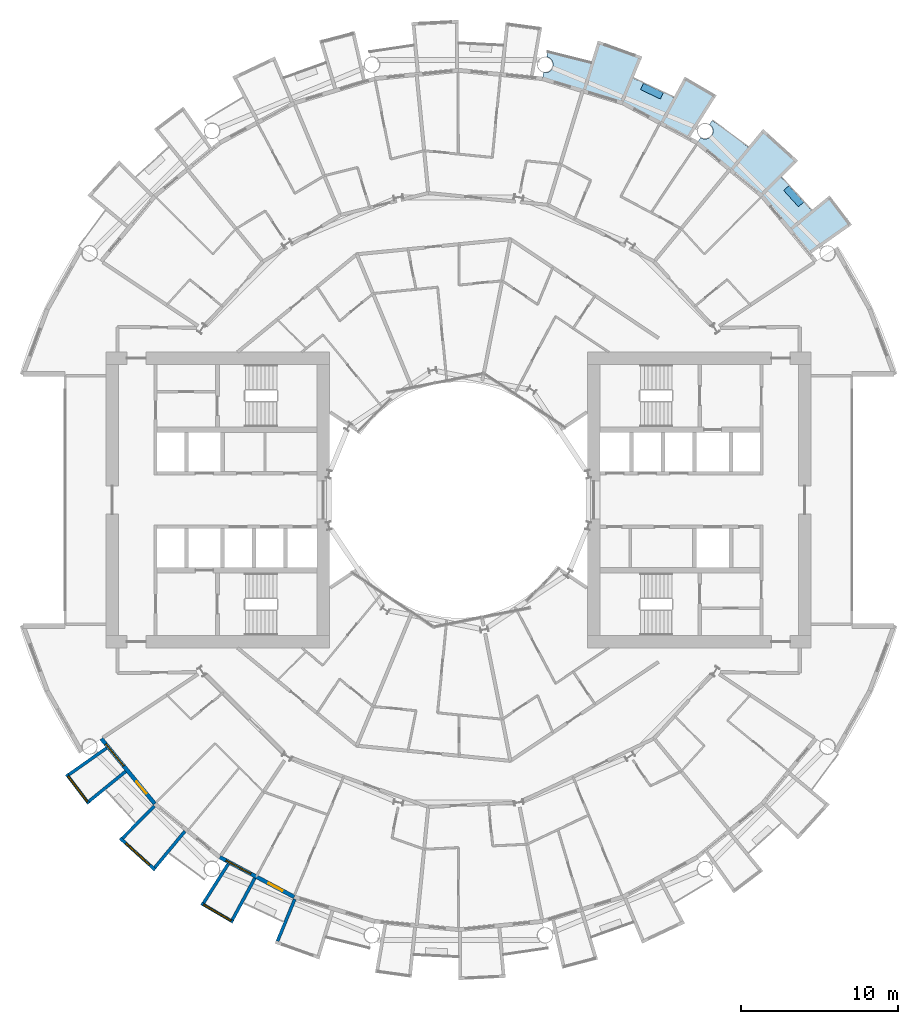
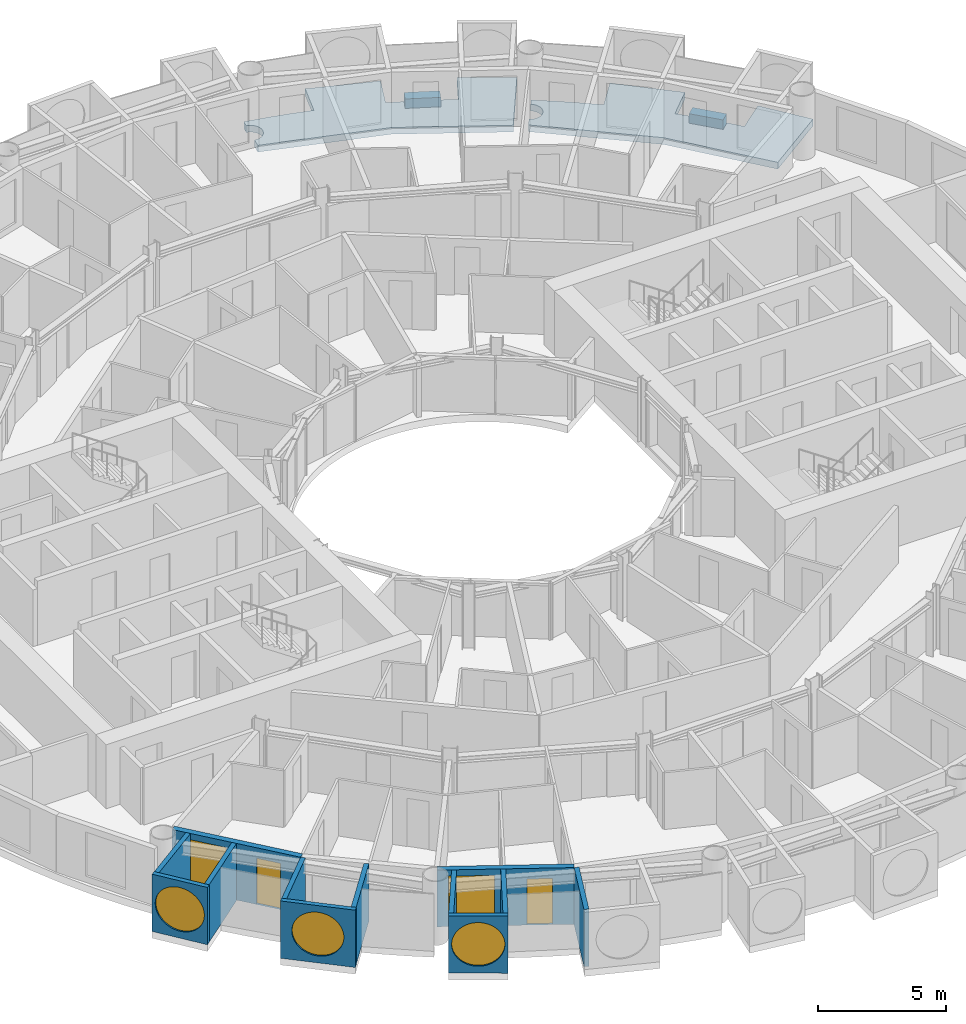
# One storey, part 12 of 26: 12 walls, 5 windows, 4 slabs, 2 doors, 7 openings.
"""IFC4 building model written with IfcOpenShell, lengths in metres."""

from ifc_helpers import new_model, si_unit, direction, frame, frame_2d, origin, place, context, subcontext, project, spatial, polyline, rectangle, circle, outline, extrude, material, layer, layer_set, type_object, element, fill, save


model = new_model("IFC4")

# Units and contexts
model_context = context("Model", 3, precision=1e-05, world=origin(), true_north=direction((0.0, 1.0)))
body_context = subcontext(model_context, "Body", "Model", "MODEL_VIEW")
ifc_project = project(units=[si_unit("LENGTHUNIT", "METRE"), si_unit("AREAUNIT", "SQUARE_METRE"), si_unit("VOLUMEUNIT", "CUBIC_METRE"), si_unit("PLANEANGLEUNIT", "RADIAN"), si_unit("MASSUNIT", "GRAM", prefix="KILO")], contexts=[model_context])

# Site, building, storey
site_placement = place(None, origin())
site = spatial("IfcSite", under=ifc_project, at=site_placement, CompositionType="ELEMENT")
building_placement = place(site_placement, origin())
building = spatial("IfcBuilding", under=site, at=building_placement, Name="Maasbend Ring Residences", CompositionType="ELEMENT")
storey_placement = place(building_placement, frame((0.0, 0.0, 25.85009765625)))
storey = spatial("IfcBuildingStorey", under=building, at=storey_placement, Name="L06", CompositionType="ELEMENT", Elevation=25.85009765625)

# Slabs
ifc_material_1 = material(Name="Planting with climbing greenery")
ifc_layer_1 = layer(ifc_material_1, 0.449951171875)
ifc_layer_set_1 = layer_set([ifc_layer_1], Name="PLANTER-LG")
slab_type_1 = type_object("IfcSlabType", Name="PLANTER-LG", PredefinedType="USERDEFINED", material=ifc_layer_set_1)
slab_1_placement = place(storey_placement, frame((0.0, 0.0, -0.030029296875)))
element("IfcSlab", 1, at=slab_1_placement, inside=storey, type_object=slab_type_1, Name="Planter with climbing greenery 1", ObjectType="PLANTER", PredefinedType="USERDEFINED", context=body_context, shape_type="SweptSolid", body=[
    extrude(outline(polyline([(21.931884765625, 18.93310546875), (20.991943359375, 19.969970703125), (20.657958984375, 19.66796875), (21.597900390625, 18.631103515625), (21.931884765625, 18.93310546875)])), origin(), (0.0, 0.0, 1.0), 0.449951171875),
])
slab_2_placement = place(storey_placement, frame((0.0, 0.0, -0.030029296875)))
element("IfcSlab", 2, at=slab_2_placement, inside=storey, type_object=slab_type_1, Name="Planter with climbing greenery 2", ObjectType="PLANTER", PredefinedType="USERDEFINED", context=body_context, shape_type="SweptSolid", body=[
    extrude(outline(polyline([(13.01708984375, 25.885009765625), (11.7509765625, 26.48291015625), (11.55908203125, 26.076904296875), (12.824951171875, 25.47802734375), (13.01708984375, 25.885009765625)])), origin(), (0.0, 0.0, 1.0), 0.449951171875),
])
ifc_material_2 = material(Name="Concrete C40/50", Category="concrete")
ifc_layer_2 = layer(ifc_material_2, 0.199951171875)
ifc_layer_set_2 = layer_set([ifc_layer_2], Name="Concrete C40/50")
slab_type_2 = type_object("IfcSlabType", Name="SL-LOGGIA", PredefinedType="FLOOR", material=ifc_layer_set_2)
slab_3_placement = place(storey_placement, frame((0.0, 0.0, -0.35009765625)))
element("IfcSlab", 3, at=slab_3_placement, inside=storey, type_object=slab_type_2, Name="Loggia floor 2", PredefinedType="FLOOR", context=body_context, shape_type="SweptSolid", body=[
    extrude(outline(polyline([(5.43896484375, 27.154052734375), (5.451904296875, 27.153076171875), (5.464111328125, 27.15087890625), (5.47705078125, 27.15087890625), (5.489013671875, 27.14990234375), (5.501953125, 27.14990234375), (5.513916015625, 27.14990234375), (5.52587890625, 27.15087890625), (5.5390625, 27.15087890625), (5.551025390625, 27.153076171875), (5.56396484375, 27.154052734375), (5.575927734375, 27.156005859375), (5.587890625, 27.157958984375), (5.60107421875, 27.159912109375), (5.613037109375, 27.162109375), (5.625, 27.1650390625), (5.636962890625, 27.1689453125), (5.64892578125, 27.172119140625), (5.660888671875, 27.176025390625), (5.673095703125, 27.179931640625), (5.68408203125, 27.18408203125), (5.696044921875, 27.18896484375), (5.70703125, 27.194091796875), (5.718994140625, 27.198974609375), (5.72998046875, 27.2041015625), (5.740966796875, 27.2099609375), (5.751953125, 27.216064453125), (5.762939453125, 27.221923828125), (5.77294921875, 27.22900390625), (5.783935546875, 27.236083984375), (5.7939453125, 27.242919921875), (5.803955078125, 27.25), (5.81396484375, 27.258056640625), (5.823974609375, 27.264892578125), (5.8330078125, 27.27294921875), (5.843017578125, 27.281982421875), (5.85205078125, 27.2900390625), (5.861083984375, 27.299072265625), (5.868896484375, 27.30810546875), (5.8779296875, 27.31689453125), (5.885986328125, 27.325927734375), (5.89404296875, 27.3359375), (5.902099609375, 27.345947265625), (5.909912109375, 27.35498046875), (5.9169921875, 27.365966796875), (5.924072265625, 27.3759765625), (5.930908203125, 27.385986328125), (5.93701171875, 27.39697265625), (5.944091796875, 27.407958984375), (5.949951171875, 27.4189453125), (5.955078125, 27.429931640625), (5.9609375, 27.44091796875), (5.966064453125, 27.451904296875), (5.970947265625, 27.464111328125), (5.97509765625, 27.47509765625), (5.97998046875, 27.487060546875), (5.98388671875, 27.4990234375), (5.988037109375, 27.510986328125), (5.990966796875, 27.52294921875), (5.993896484375, 27.534912109375), (5.9970703125, 27.547119140625), (6.0, 27.55908203125), (6.001953125, 27.571044921875), (6.00390625, 27.583984375), (6.006103515625, 27.595947265625), (6.007080078125, 27.60791015625), (6.008056640625, 27.62109375), (6.009033203125, 27.633056640625), (6.009033203125, 27.64599609375), (6.010009765625, 27.657958984375), (6.009033203125, 27.6708984375), (6.009033203125, 27.68310546875), (6.008056640625, 27.695068359375), (6.007080078125, 27.7080078125), (6.006103515625, 27.719970703125), (6.00390625, 27.73291015625), (6.001953125, 27.7451171875), (6.0, 27.757080078125), (5.9970703125, 27.76904296875), (5.993896484375, 27.781982421875), (5.990966796875, 27.7939453125), (5.988037109375, 27.805908203125), (5.98388671875, 27.81689453125), (5.97998046875, 27.8291015625), (5.97509765625, 27.841064453125), (5.970947265625, 27.85302734375), (5.966064453125, 27.864013671875), (5.9609375, 27.875), (5.955078125, 27.886962890625), (5.949951171875, 27.89794921875), (5.944091796875, 27.907958984375), (5.93701171875, 27.9189453125), (5.930908203125, 27.929931640625), (5.924072265625, 27.93994140625), (5.9169921875, 27.950927734375), (5.909912109375, 27.9609375), (5.902099609375, 27.970947265625), (5.89404296875, 27.97998046875), (5.885986328125, 27.989990234375), (5.8779296875, 27.9990234375), (5.868896484375, 28.008056640625), (5.861083984375, 28.01708984375), (5.85205078125, 28.02587890625), (5.843017578125, 28.034912109375), (5.8330078125, 28.04296875), (5.823974609375, 28.051025390625), (5.81396484375, 28.05908203125), (5.803955078125, 28.06591796875), (5.7939453125, 28.072998046875), (5.783935546875, 28.080078125), (5.77294921875, 28.0869140625), (5.762939453125, 28.093994140625), (5.751953125, 28.10009765625), (5.740966796875, 28.10595703125), (5.72998046875, 28.112060546875), (5.718994140625, 28.116943359375), (5.70703125, 28.123046875), (5.696044921875, 28.126953125), (5.68408203125, 28.132080078125), (5.673095703125, 28.135986328125), (5.660888671875, 28.139892578125), (5.64892578125, 28.14404296875), (5.636962890625, 28.14794921875), (5.625, 28.15087890625), (5.613037109375, 28.154052734375), (5.60107421875, 28.156005859375), (5.657958984375, 28.443115234375), (5.657958984375, 28.443115234375), (5.657958984375, 28.443115234375), (6.5849609375, 28.241943359375), (6.5849609375, 28.241943359375), (7.506103515625, 28.011962890625), (7.506103515625, 28.011962890625), (8.41796875, 27.7509765625), (8.41796875, 27.7509765625), (8.41796875, 27.7509765625), (8.41796875, 27.7509765625), (8.41796875, 27.7509765625), (8.41796875, 27.7509765625), (8.41796875, 27.7509765625), (8.41796875, 27.7509765625), (8.41796875, 27.7509765625), (8.41796875, 27.7509765625), (8.41796875, 27.751953125), (8.41796875, 27.751953125), (8.41796875, 27.751953125), (8.41796875, 27.751953125), (8.41796875, 27.751953125), (8.41796875, 27.751953125), (8.41796875, 27.751953125), (8.85400390625, 29.18701171875), (8.85400390625, 29.18701171875), (8.85400390625, 29.18701171875), (11.672119140625, 28.177978515625), (11.672119140625, 28.177978515625), (11.672119140625, 28.177978515625), (11.097900390625, 26.79296875), (11.097900390625, 26.79296875), (11.097900390625, 26.79296875), (11.097900390625, 26.79296875), (11.097900390625, 26.79296875), (11.097900390625, 26.79296875), (11.097900390625, 26.79296875), (11.097900390625, 26.79296875), (11.097900390625, 26.79296875), (11.097900390625, 26.79296875), (11.097900390625, 26.7919921875), (11.097900390625, 26.7919921875), (11.097900390625, 26.7919921875), (11.097900390625, 26.7919921875), (11.097900390625, 26.7919921875), (11.097900390625, 26.7919921875), (11.097900390625, 26.7919921875), (11.968994140625, 26.4150390625), (11.968994140625, 26.4150390625), (12.825927734375, 26.009033203125), (12.825927734375, 26.009033203125), (13.669921875, 25.575927734375), (13.669921875, 25.575927734375), (13.669921875, 25.575927734375), (13.669921875, 25.575927734375), (13.669921875, 25.575927734375), (13.669921875, 25.575927734375), (13.669921875, 25.575927734375), (13.669921875, 25.575927734375), (13.669921875, 25.575927734375), (13.669921875, 25.575927734375), (13.6708984375, 25.575927734375), (13.6708984375, 25.575927734375), (13.6708984375, 25.575927734375), (13.6708984375, 25.575927734375), (13.6708984375, 25.575927734375), (13.6708984375, 25.575927734375), (13.6708984375, 25.575927734375), (14.3779296875, 26.89892578125), (14.3779296875, 26.89892578125), (14.3779296875, 26.89892578125), (16.39404296875, 25.718994140625), (16.39404296875, 25.718994140625), (16.39404296875, 25.718994140625), (14.64599609375, 22.97705078125), (14.64599609375, 22.97705078125), (14.64599609375, 22.97705078125), (12.806884765625, 23.9609375), (10.447021484375, 25.221923828125), (10.447021484375, 25.221923828125), (10.447021484375, 25.221923828125), (7.886962890625, 25.9990234375), (5.325927734375, 26.77490234375), (5.325927734375, 26.77490234375), (5.325927734375, 26.77490234375), (5.402099609375, 27.159912109375), (5.4150390625, 27.157958984375), (5.427001953125, 27.156005859375), (5.43896484375, 27.154052734375)])), origin(), (0.0, 0.0, 1.0), 0.320068359375),
])
slab_4_placement = place(storey_placement, frame((0.0, 0.0, -0.35009765625)))
element("IfcSlab", 4, at=slab_4_placement, inside=storey, type_object=slab_type_2, Name="Loggia floor 4", PredefinedType="FLOOR", context=body_context, shape_type="SweptSolid", body=[
    extrude(outline(polyline([(15.406005859375, 23.011962890625), (15.4169921875, 23.0048828125), (15.427978515625, 22.9990234375), (15.43896484375, 22.993896484375), (15.449951171875, 22.988037109375), (15.4609375, 22.98291015625), (15.472900390625, 22.97802734375), (15.48388671875, 22.972900390625), (15.49609375, 22.968994140625), (15.508056640625, 22.965087890625), (15.52001953125, 22.9609375), (15.531982421875, 22.9580078125), (15.5439453125, 22.955078125), (15.555908203125, 22.951904296875), (15.568115234375, 22.948974609375), (15.580078125, 22.947021484375), (15.593017578125, 22.945068359375), (15.60498046875, 22.943115234375), (15.616943359375, 22.94189453125), (15.6298828125, 22.94091796875), (15.64208984375, 22.93994140625), (15.655029296875, 22.93994140625), (15.6669921875, 22.93896484375), (15.679931640625, 22.93994140625), (15.69189453125, 22.93994140625), (15.7041015625, 22.94091796875), (15.717041015625, 22.94189453125), (15.72900390625, 22.943115234375), (15.741943359375, 22.945068359375), (15.75390625, 22.947021484375), (15.76611328125, 22.948974609375), (15.778076171875, 22.951904296875), (15.791015625, 22.955078125), (15.802978515625, 22.9580078125), (15.81494140625, 22.9609375), (15.825927734375, 22.965087890625), (15.837890625, 22.968994140625), (15.85009765625, 22.972900390625), (15.862060546875, 22.97802734375), (15.873046875, 22.98291015625), (15.884033203125, 22.988037109375), (15.89599609375, 22.993896484375), (15.906982421875, 22.9990234375), (15.9169921875, 23.0048828125), (15.927978515625, 23.011962890625), (15.93896484375, 23.01806640625), (15.948974609375, 23.02490234375), (15.9599609375, 23.031982421875), (15.969970703125, 23.0390625), (15.97998046875, 23.047119140625), (15.989013671875, 23.054931640625), (15.9990234375, 23.06298828125), (16.008056640625, 23.071044921875), (16.01708984375, 23.0791015625), (16.02587890625, 23.087890625), (16.034912109375, 23.096923828125), (16.0439453125, 23.10595703125), (16.052001953125, 23.115966796875), (16.06005859375, 23.125), (16.068115234375, 23.135009765625), (16.074951171875, 23.14501953125), (16.08203125, 23.155029296875), (16.089111328125, 23.1650390625), (16.095947265625, 23.176025390625), (16.10302734375, 23.18603515625), (16.10888671875, 23.197021484375), (16.114990234375, 23.2080078125), (16.12109375, 23.218994140625), (16.1259765625, 23.22998046875), (16.132080078125, 23.241943359375), (16.135986328125, 23.2529296875), (16.14111328125, 23.264892578125), (16.14501953125, 23.27587890625), (16.14892578125, 23.2880859375), (16.153076171875, 23.300048828125), (16.156982421875, 23.31201171875), (16.159912109375, 23.323974609375), (16.1630859375, 23.3359375), (16.1650390625, 23.347900390625), (16.16796875, 23.361083984375), (16.169921875, 23.373046875), (16.1708984375, 23.385009765625), (16.173095703125, 23.39794921875), (16.174072265625, 23.409912109375), (16.174072265625, 23.422119140625), (16.175048828125, 23.43505859375), (16.175048828125, 23.447021484375), (16.175048828125, 23.4599609375), (16.174072265625, 23.471923828125), (16.174072265625, 23.485107421875), (16.173095703125, 23.4970703125), (16.1708984375, 23.510009765625), (16.169921875, 23.52197265625), (16.16796875, 23.533935546875), (16.1650390625, 23.547119140625), (16.1630859375, 23.55908203125), (16.159912109375, 23.571044921875), (16.156982421875, 23.5830078125), (16.153076171875, 23.594970703125), (16.14892578125, 23.60693359375), (16.14501953125, 23.618896484375), (16.14111328125, 23.6298828125), (16.135986328125, 23.64208984375), (16.132080078125, 23.653076171875), (16.1259765625, 23.6650390625), (16.12109375, 23.676025390625), (16.114990234375, 23.68701171875), (16.10888671875, 23.697998046875), (16.10302734375, 23.708984375), (16.095947265625, 23.718994140625), (16.089111328125, 23.72998046875), (16.08203125, 23.739990234375), (16.074951171875, 23.75), (16.068115234375, 23.760009765625), (16.06005859375, 23.77001953125), (16.052001953125, 23.779052734375), (16.0439453125, 23.7890625), (16.034912109375, 23.798095703125), (16.02587890625, 23.806884765625), (16.01708984375, 23.81494140625), (16.008056640625, 23.823974609375), (15.9990234375, 23.83203125), (15.989013671875, 23.840087890625), (15.97998046875, 23.847900390625), (15.969970703125, 23.85498046875), (15.9599609375, 23.863037109375), (15.948974609375, 23.8701171875), (15.948974609375, 23.8701171875), (16.112060546875, 24.113037109375), (16.112060546875, 24.113037109375), (16.112060546875, 24.113037109375), (16.89208984375, 23.572998046875), (16.89208984375, 23.572998046875), (17.654052734375, 23.007080078125), (17.654052734375, 23.007080078125), (18.39697265625, 22.41796875), (18.39697265625, 22.41796875), (18.39697265625, 22.41796875), (18.39697265625, 22.41796875), (18.39697265625, 22.41796875), (18.39697265625, 22.41796875), (18.39697265625, 22.41796875), (18.39697265625, 22.41796875), (18.39697265625, 22.41796875), (18.39697265625, 22.41796875), (18.39697265625, 22.41796875), (18.39794921875, 22.41796875), (18.39794921875, 22.41796875), (18.39794921875, 22.41796875), (18.39794921875, 22.41796875), (18.39794921875, 22.41796875), (18.39794921875, 22.41796875), (19.34912109375, 23.576904296875), (19.34912109375, 23.576904296875), (19.34912109375, 23.576904296875), (21.56689453125, 21.56689453125), (21.56689453125, 21.56689453125), (21.56689453125, 21.56689453125), (20.506103515625, 20.506103515625), (20.506103515625, 20.506103515625), (20.506103515625, 20.506103515625), (20.506103515625, 20.506103515625), (20.506103515625, 20.506103515625), (20.506103515625, 20.506103515625), (20.506103515625, 20.506103515625), (20.506103515625, 20.506103515625), (20.506103515625, 20.506103515625), (20.506103515625, 20.506103515625), (20.506103515625, 20.506103515625), (20.506103515625, 20.506103515625), (20.506103515625, 20.506103515625), (20.506103515625, 20.506103515625), (20.506103515625, 20.506103515625), (20.506103515625, 20.506103515625), (20.506103515625, 20.506103515625), (21.166015625, 19.823974609375), (21.166015625, 19.823974609375), (21.802978515625, 19.12109375), (21.802978515625, 19.12109375), (22.4169921875, 18.39794921875), (22.4169921875, 18.39794921875), (22.4169921875, 18.39794921875), (22.4169921875, 18.39794921875), (22.4169921875, 18.39794921875), (22.4169921875, 18.39794921875), (22.4169921875, 18.39794921875), (22.4169921875, 18.39794921875), (22.4169921875, 18.39794921875), (22.4169921875, 18.39794921875), (22.4169921875, 18.39794921875), (22.4169921875, 18.39794921875), (22.41796875, 18.39794921875), (22.41796875, 18.39794921875), (22.41796875, 18.39794921875), (22.41796875, 18.39794921875), (22.41796875, 18.39794921875), (23.576904296875, 19.34912109375), (23.576904296875, 19.34912109375), (23.576904296875, 19.34912109375), (24.989013671875, 17.488037109375), (24.989013671875, 17.488037109375), (24.989013671875, 17.488037109375), (22.324951171875, 15.623046875), (22.324951171875, 15.623046875), (22.324951171875, 15.623046875), (21.001953125, 17.236083984375), (19.303955078125, 19.303955078125), (19.303955078125, 19.303955078125), (19.303955078125, 19.303955078125), (17.236083984375, 21.001953125), (15.1669921875, 22.698974609375), (15.1669921875, 22.698974609375), (15.1669921875, 22.698974609375), (15.385009765625, 23.02490234375), (15.385009765625, 23.02490234375), (15.39501953125, 23.01806640625), (15.406005859375, 23.011962890625)])), origin(), (0.0, 0.0, 1.0), 0.320068359375),
])

# Wall, opening, window
ifc_material_3 = material(Name="Pale anodised aluminium panel", Category="aluminium")
ifc_layer_3 = layer(ifc_material_3, 0.199951171875)
ifc_layer_set_3 = layer_set([ifc_layer_3], Name="EW-BOX")
wall_type_1 = type_object("IfcWallType", Name="EW-BOX", PredefinedType="SOLIDWALL", material=ifc_layer_set_3)
wall_1_placement = place(storey_placement, frame((-24.908935546875, -17.427001953125, -0.030029296875), z_axis=(0.0, 0.0, 1.0), x_axis=(0.60418752353, -0.796842165306, 0.0)))
wall_1 = element("IfcWall", 5, at=wall_1_placement, inside=storey, type_object=wall_type_1, Name="Box front S01", PredefinedType="SOLIDWALL", context=body_context, shape_type="SweptSolid", body=[
    extrude(rectangle(XDim=2.3369140625, YDim=0.199951171875, at=frame_2d((1.16845703125, 0.0))), origin(), (0.0, 0.0, 1.0), 2.72998046875),
])
opening_1_placement = place(wall_1_placement, frame((0.128173828125, 0.0, 0.330078125)))
opening_1 = element("IfcOpeningElement", 6, at=opening_1_placement, cuts=wall_1, Name="Opening W-RD", PredefinedType="OPENING", context=body_context, shape_type="SweptSolid", body=[
    extrude(circle(Radius=1.0400390625, at=frame_2d((1.0400390625, 1.0400390625))), frame((0.0, 0.10986328125, 0.0), z_axis=(0.0, -1.0, 0.0), x_axis=(1.0, 0.0, 0.0)), (0.0, 0.0, 1.0), 0.219970703125),
])
ifc_material_4 = material(Name="Aluminium and clear glass", Category="aluminium")
window_type_1 = type_object("IfcWindowType", Name="W-RD", PartitioningType="SINGLE_PANEL", PredefinedType="WINDOW", material=ifc_material_4)
window_1_placement = place(opening_1_placement, origin())
window_1 = element("IfcWindow", 7, at=window_1_placement, inside=storey, type_object=window_type_1, Name="Round window S01", OverallHeight=2.080078125, OverallWidth=2.080078125, PartitioningType="SINGLE_PANEL", PredefinedType="WINDOW", context=body_context, shape_type="SweptSolid", body=[
    extrude(circle(Radius=1.0400390625, at=frame_2d((1.0400390625, 1.0400390625))), frame((0.0, 0.030029296875, 0.0), z_axis=(0.0, -1.0, 0.0), x_axis=(1.0, 0.0, 0.0)), (0.0, 0.0, 1.0), 0.06005859375),
])
fill(opening_1, window_1)

# Walls
wall_2_placement = place(storey_placement, frame((-22.3701171875, -15.764892578125, -0.030029296875), z_axis=(0.0, 0.0, 1.0), x_axis=(-0.817256123454, -0.576274612209, 0.0)))
element("IfcWall", 8, at=wall_2_placement, inside=storey, type_object=wall_type_1, Name="Box side wall S01 left", PredefinedType="SOLIDWALL", context=body_context, shape_type="SweptSolid", body=[
    extrude(rectangle(XDim=2.932861328125, YDim=0.199951171875, at=frame_2d((1.46630859375, 0.0))), origin(), (0.0, 0.0, 1.0), 2.72998046875),
])
wall_3_placement = place(storey_placement, frame((-21.155029296875, -17.24609375, -0.030029296875), z_axis=(0.0, 0.0, 1.0), x_axis=(-0.775179004516, -0.631741648902, 0.0)))
element("IfcWall", 9, at=wall_3_placement, inside=storey, type_object=wall_type_1, Name="Box side wall S01 right", PredefinedType="SOLIDWALL", context=body_context, shape_type="SweptSolid", body=[
    extrude(rectangle(XDim=3.005859375, YDim=0.199951171875, at=frame_2d((1.5029296875, 0.0))), origin(), (0.0, 0.0, 1.0), 2.72998046875),
])

# Wall, opening, window
wall_4_placement = place(storey_placement, frame((-21.5, -21.492919921875, -0.030029296875), z_axis=(0.0, 0.0, 1.0), x_axis=(0.740998365753, -0.671506829416, 0.0)))
wall_4 = element("IfcWall", 10, at=wall_4_placement, inside=storey, type_object=wall_type_1, Name="Box front S03", PredefinedType="SOLIDWALL", context=body_context, shape_type="SweptSolid", body=[
    extrude(rectangle(XDim=2.9931640625, YDim=0.199951171875, at=frame_2d((1.49658203125, 0.0))), origin(), (0.0, 0.0, 1.0), 2.72998046875),
])
opening_2_placement = place(wall_4_placement, frame((0.45654296875, 0.0, 0.330078125)))
opening_2 = element("IfcOpeningElement", 11, at=opening_2_placement, cuts=wall_4, Name="Opening W-RD", PredefinedType="OPENING", context=body_context, shape_type="SweptSolid", body=[
    extrude(circle(Radius=1.0400390625, at=frame_2d((1.0400390625, 1.0400390625))), frame((0.0, 0.10986328125, 0.0), z_axis=(0.0, -1.0, 0.0), x_axis=(1.0, 0.0, 0.0)), (0.0, 0.0, 1.0), 0.219970703125),
])
window_2_placement = place(opening_2_placement, origin())
window_2 = element("IfcWindow", 12, at=window_2_placement, inside=storey, type_object=window_type_1, Name="Round window S03", OverallHeight=2.080078125, OverallWidth=2.080078125, PartitioningType="SINGLE_PANEL", PredefinedType="WINDOW", context=body_context, shape_type="SweptSolid", body=[
    extrude(circle(Radius=1.0400390625, at=frame_2d((1.0400390625, 1.0400390625))), frame((0.0, 0.030029296875, 0.0), z_axis=(0.0, -1.0, 0.0), x_axis=(1.0, 0.0, 0.0)), (0.0, 0.0, 1.0), 0.06005859375),
])
fill(opening_2, window_2)

# Walls
wall_5_placement = place(storey_placement, frame((-19.322998046875, -19.449951171875, -0.030029296875), z_axis=(0.0, 0.0, 1.0), x_axis=(-0.704476739375, -0.709727076896, 0.0)))
element("IfcWall", 13, at=wall_5_placement, inside=storey, type_object=wall_type_1, Name="Box side wall S03 left", PredefinedType="SOLIDWALL", context=body_context, shape_type="SweptSolid", body=[
    extrude(rectangle(XDim=2.883056640625, YDim=0.199951171875, at=frame_2d((1.44140625, 0.0))), origin(), (0.0, 0.0, 1.0), 2.72998046875),
])
wall_6_placement = place(storey_placement, frame((-17.384033203125, -21.041015625, -0.030029296875), z_axis=(0.0, 0.0, 1.0), x_axis=(-0.63709551667, -0.770784861449, 0.0)))
element("IfcWall", 14, at=wall_6_placement, inside=storey, type_object=wall_type_1, Name="Box side wall S03 right", PredefinedType="SOLIDWALL", context=body_context, shape_type="SweptSolid", body=[
    extrude(rectangle(XDim=3.005859375, YDim=0.199951171875, at=frame_2d((1.5029296875, 0.0))), origin(), (0.0, 0.0, 1.0), 2.72998046875),
])

# Wall, opening, window
wall_7_placement = place(storey_placement, frame((-16.343994140625, -25.633056640625, -0.030029296875), z_axis=(0.0, 0.0, 1.0), x_axis=(0.863346521872, -0.504611517081, 0.0)))
wall_7 = element("IfcWall", 15, at=wall_7_placement, inside=storey, type_object=wall_type_1, Name="Box front S05", PredefinedType="SOLIDWALL", context=body_context, shape_type="SweptSolid", body=[
    extrude(rectangle(XDim=2.33642578125, YDim=0.199951171875, at=frame_2d((1.168212890625, 0.0))), origin(), (0.0, 0.0, 1.0), 2.72998046875),
])
opening_3_placement = place(wall_7_placement, frame((0.128173828125, 0.0, 0.330078125)))
opening_3 = element("IfcOpeningElement", 16, at=opening_3_placement, cuts=wall_7, Name="Opening W-RD", PredefinedType="OPENING", context=body_context, shape_type="SweptSolid", body=[
    extrude(circle(Radius=1.0400390625, at=frame_2d((1.0400390625, 1.0400390625))), frame((0.0, 0.10986328125, 0.0), z_axis=(0.0, -1.0, 0.0), x_axis=(1.0, 0.0, 0.0)), (0.0, 0.0, 1.0), 0.219970703125),
])
window_3_placement = place(opening_3_placement, origin())
window_3 = element("IfcWindow", 17, at=window_3_placement, inside=storey, type_object=window_type_1, Name="Round window S05", OverallHeight=2.080078125, OverallWidth=2.080078125, PartitioningType="SINGLE_PANEL", PredefinedType="WINDOW", context=body_context, shape_type="SweptSolid", body=[
    extrude(circle(Radius=1.0400390625, at=frame_2d((1.0400390625, 1.0400390625))), frame((0.0, 0.030029296875, 0.0), z_axis=(0.0, -1.0, 0.0), x_axis=(1.0, 0.0, 0.0)), (0.0, 0.0, 1.0), 0.06005859375),
])
fill(opening_3, window_3)

# Walls
wall_8_placement = place(storey_placement, frame((-14.635009765625, -23.1259765625, -0.030029296875), z_axis=(0.0, 0.0, 1.0), x_axis=(-0.534437802731, -0.845207805816, 0.0)))
element("IfcWall", 18, at=wall_8_placement, inside=storey, type_object=wall_type_1, Name="Box side wall S05 left", PredefinedType="SOLIDWALL", context=body_context, shape_type="SweptSolid", body=[
    extrude(rectangle(XDim=2.931884765625, YDim=0.199951171875, at=frame_2d((1.4658203125, 0.0))), origin(), (0.0, 0.0, 1.0), 2.72998046875),
])
wall_9_placement = place(storey_placement, frame((-12.945068359375, -24.029052734375, -0.030029296875), z_axis=(0.0, 0.0, 1.0), x_axis=(-0.474424310775, -0.88029629861, 0.0)))
element("IfcWall", 19, at=wall_9_placement, inside=storey, type_object=wall_type_1, Name="Box side wall S05 right", PredefinedType="SOLIDWALL", context=body_context, shape_type="SweptSolid", body=[
    extrude(rectangle(XDim=3.005859375, YDim=0.199951171875, at=frame_2d((1.5029296875, 0.0))), origin(), (0.0, 0.0, 1.0), 2.72998046875),
])
wall_10_placement = place(storey_placement, frame((-10.408935546875, -25.364013671875, -0.030029296875), z_axis=(0.0, 0.0, 1.0), x_axis=(-0.379509886562, -0.925187681501, 0.0)))
element("IfcWall", 20, at=wall_10_placement, inside=storey, type_object=wall_type_1, Name="Box side wall S07 left", PredefinedType="SOLIDWALL", context=body_context, shape_type="SweptSolid", body=[
    extrude(rectangle(XDim=2.882568359375, YDim=0.199951171875, at=frame_2d((1.44140625, 0.0))), origin(), (0.0, 0.0, 1.0), 2.72998046875),
])

# Wall, openings, door, window
ifc_material_5 = material(Name="Aluminium clad insulated panel", Category="aluminium")
ifc_layer_4 = layer(ifc_material_5, 0.25)
ifc_layer_set_4 = layer_set([ifc_layer_4], Name="EW-GL")
wall_type_2 = type_object("IfcWallType", Name="EW-GL", PredefinedType="SOLIDWALL", material=ifc_layer_set_4)
wall_11_placement = place(storey_placement, frame((-22.698974609375, -15.1669921875, 0.0), z_axis=(0.0, 0.0, 1.0), x_axis=(0.634382322723, -0.773019449054, 0.0)))
wall_11 = element("IfcWall", 21, at=wall_11_placement, inside=storey, type_object=wall_type_2, Name="External wall S01", PredefinedType="SOLIDWALL", context=body_context, shape_type="SweptSolid", body=[
    extrude(rectangle(XDim=5.351806640625, YDim=0.25, at=frame_2d((2.67578125, 0.0))), origin(), (0.0, 0.0, 1.0), 2.699951171875),
])
opening_4_placement = place(wall_11_placement, frame((0.441162109375, 0.0, 0.300048828125)))
opening_4 = element("IfcOpeningElement", 22, at=opening_4_placement, cuts=wall_11, Name="Opening W-BX", PredefinedType="OPENING", context=body_context, shape_type="SweptSolid", body=[
    extrude(rectangle(XDim=1.800048828125, YDim=2.10009765625, at=frame_2d((0.89990234375, 1.050048828125))), frame((0.0, 0.135009765625, 0.0), z_axis=(0.0, -1.0, 0.0), x_axis=(1.0, 0.0, 0.0)), (0.0, 0.0, 1.0), 0.27001953125),
])
opening_5_placement = place(wall_11_placement, frame((3.510498046875, 0.0, 0.0)))
opening_5 = element("IfcOpeningElement", 23, at=opening_5_placement, cuts=wall_11, Name="Opening D-LG", PredefinedType="OPENING", context=body_context, shape_type="SweptSolid", body=[
    extrude(rectangle(XDim=1.0, YDim=2.199951171875, at=frame_2d((0.5, 1.10009765625))), frame((0.0, 0.135009765625, 0.0), z_axis=(0.0, -1.0, 0.0), x_axis=(1.0, 0.0, 0.0)), (0.0, 0.0, 1.0), 0.27001953125),
])
ifc_material_6 = material(Name="Aluminium and clear glass", Category="aluminium")
door_type = type_object("IfcDoorType", Name="D-LG", OperationType="SINGLE_SWING_LEFT", PredefinedType="DOOR", material=ifc_material_6)
door_1_placement = place(opening_5_placement, origin())
door_1 = element("IfcDoor", 24, at=door_1_placement, inside=storey, type_object=door_type, Name="Loggia door S02", OperationType="SINGLE_SWING_LEFT", OverallHeight=2.199951171875, OverallWidth=1.0, PredefinedType="DOOR", context=body_context, shape_type="SweptSolid", body=[
    extrude(rectangle(XDim=1.0, YDim=2.199951171875, at=frame_2d((0.5, 1.10009765625))), frame((0.0, 0.02490234375, 0.0), z_axis=(0.0, -1.0, 0.0), x_axis=(1.0, 0.0, 0.0)), (0.0, 0.0, 1.0), 0.050048828125),
])
fill(opening_5, door_1)
ifc_material_7 = material(Name="Aluminium and clear glass", Category="aluminium")
window_type_2 = type_object("IfcWindowType", Name="W-BX", PartitioningType="DOUBLE_PANEL_VERTICAL", PredefinedType="WINDOW", material=ifc_material_7)
window_4_placement = place(opening_4_placement, origin())
window_4 = element("IfcWindow", 25, at=window_4_placement, inside=storey, type_object=window_type_2, Name="Window S01 room to box", OverallHeight=2.10009765625, OverallWidth=1.800048828125, PartitioningType="SINGLE_PANEL", PredefinedType="WINDOW", context=body_context, shape_type="SweptSolid", body=[
    extrude(rectangle(XDim=1.800048828125, YDim=2.10009765625, at=frame_2d((0.89990234375, 1.050048828125))), frame((0.0, 0.030029296875, 0.0), z_axis=(0.0, -1.0, 0.0), x_axis=(1.0, 0.0, 0.0)), (0.0, 0.0, 1.0), 0.06005859375),
])
fill(opening_4, window_4)

wall_12_placement = place(storey_placement, frame((-15.1669921875, -22.698974609375, 0.0), z_axis=(0.0, 0.0, 1.0), x_axis=(0.881915646801, -0.471407246368, 0.0)))
wall_12 = element("IfcWall", 26, at=wall_12_placement, inside=storey, type_object=wall_type_2, Name="External wall S03", PredefinedType="SOLIDWALL", context=body_context, shape_type="SweptSolid", body=[
    extrude(rectangle(XDim=5.35205078125, YDim=0.25, at=frame_2d((2.676025390625, 0.0))), origin(), (0.0, 0.0, 1.0), 2.699951171875),
])
opening_6_placement = place(wall_12_placement, frame((0.441162109375, 0.0, 0.300048828125)))
opening_6 = element("IfcOpeningElement", 27, at=opening_6_placement, cuts=wall_12, Name="Opening W-BX", PredefinedType="OPENING", context=body_context, shape_type="SweptSolid", body=[
    extrude(rectangle(XDim=1.800048828125, YDim=2.10009765625, at=frame_2d((0.89990234375, 1.050048828125))), frame((0.0, 0.135009765625, 0.0), z_axis=(0.0, -1.0, 0.0), x_axis=(1.0, 0.0, 0.0)), (0.0, 0.0, 1.0), 0.27001953125),
])
opening_7_placement = place(wall_12_placement, frame((3.510498046875, 0.0, 0.0)))
opening_7 = element("IfcOpeningElement", 28, at=opening_7_placement, cuts=wall_12, Name="Opening D-LG", PredefinedType="OPENING", context=body_context, shape_type="SweptSolid", body=[
    extrude(rectangle(XDim=1.0, YDim=2.199951171875, at=frame_2d((0.5, 1.10009765625))), frame((0.0, 0.135009765625, 0.0), z_axis=(0.0, -1.0, 0.0), x_axis=(1.0, 0.0, 0.0)), (0.0, 0.0, 1.0), 0.27001953125),
])
door_2_placement = place(opening_7_placement, origin())
door_2 = element("IfcDoor", 29, at=door_2_placement, inside=storey, type_object=door_type, Name="Loggia door S06", OperationType="SINGLE_SWING_LEFT", OverallHeight=2.199951171875, OverallWidth=1.0, PredefinedType="DOOR", context=body_context, shape_type="SweptSolid", body=[
    extrude(rectangle(XDim=1.0, YDim=2.199951171875, at=frame_2d((0.5, 1.10009765625))), frame((0.0, 0.02490234375, 0.0), z_axis=(0.0, -1.0, 0.0), x_axis=(1.0, 0.0, 0.0)), (0.0, 0.0, 1.0), 0.050048828125),
])
fill(opening_7, door_2)
window_5_placement = place(opening_6_placement, origin())
window_5 = element("IfcWindow", 30, at=window_5_placement, inside=storey, type_object=window_type_2, Name="Window S05 room to box", OverallHeight=2.10009765625, OverallWidth=1.800048828125, PartitioningType="SINGLE_PANEL", PredefinedType="WINDOW", context=body_context, shape_type="SweptSolid", body=[
    extrude(rectangle(XDim=1.800048828125, YDim=2.10009765625, at=frame_2d((0.89990234375, 1.050048828125))), frame((0.0, 0.030029296875, 0.0), z_axis=(0.0, -1.0, 0.0), x_axis=(1.0, 0.0, 0.0)), (0.0, 0.0, 1.0), 0.06005859375),
])
fill(opening_6, window_5)

save(model, "model.ifc")
